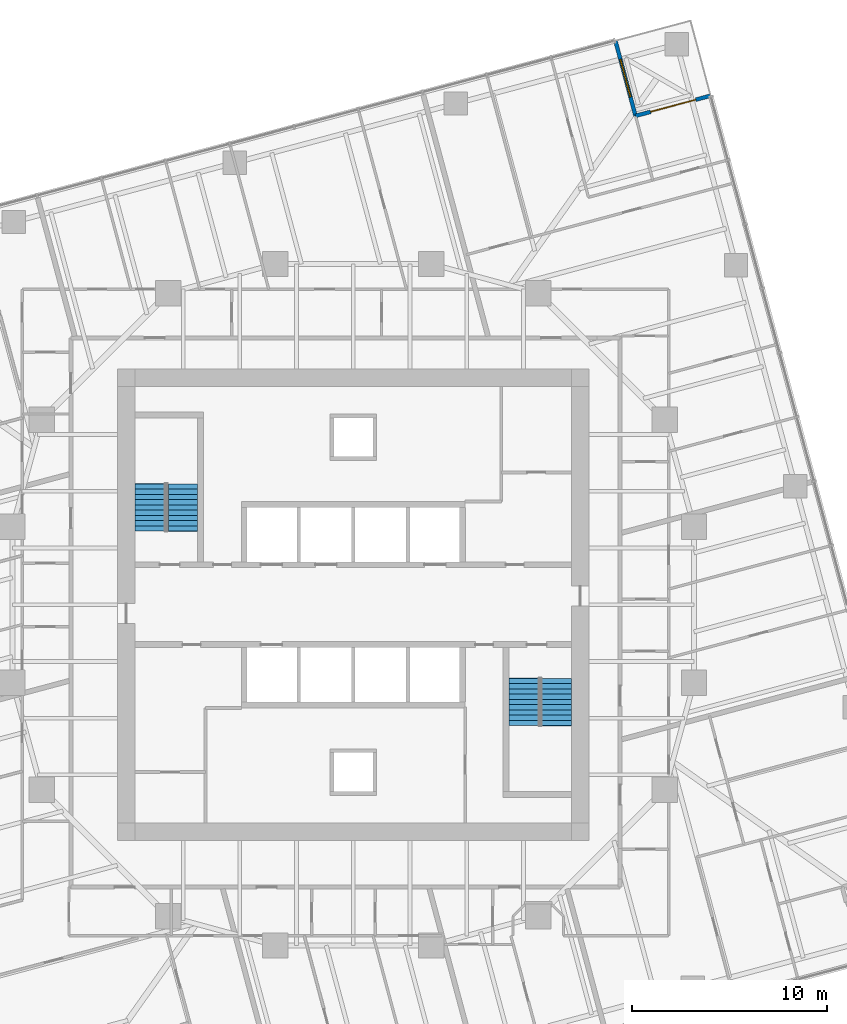
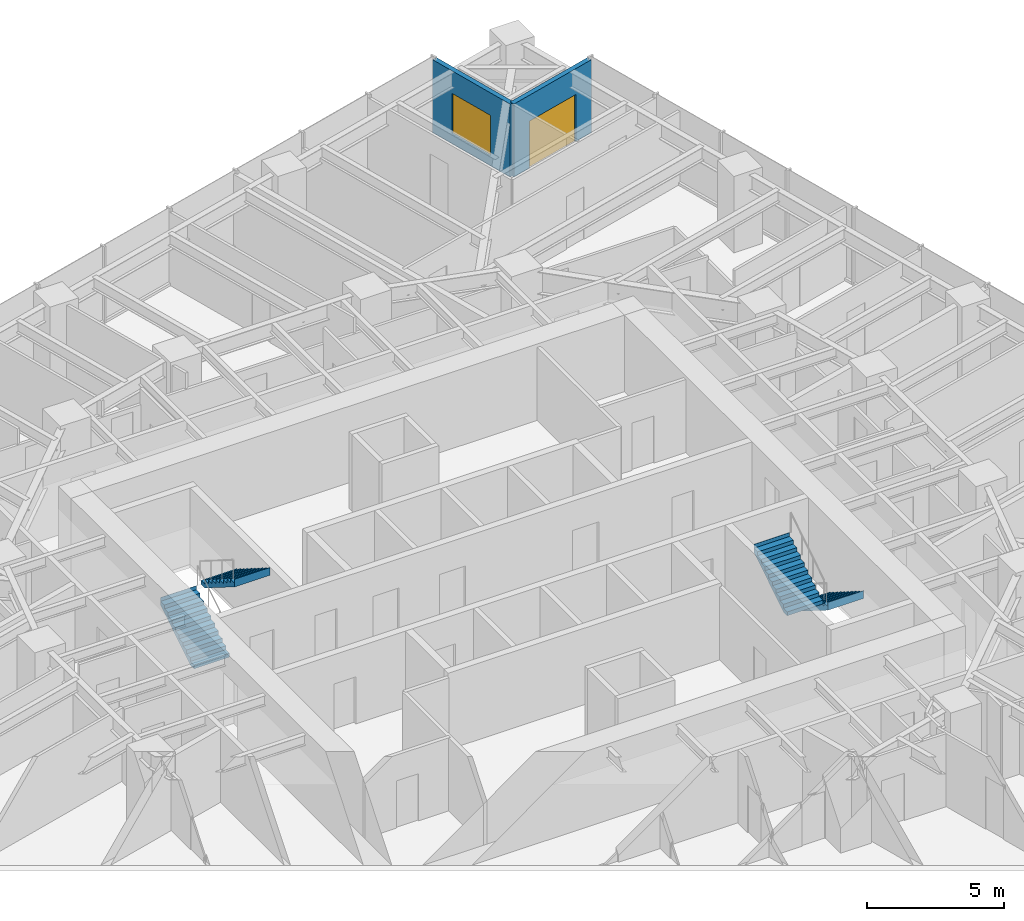
# One storey, part 13 of 14: 4 stair flights, 2 walls, 1 door, 1 window, 2 openings, 2 elements without a shape of their own.
"""IFC4 building model written with IfcOpenShell, lengths in metres."""

from ifc_helpers import new_model, si_unit, direction, frame, frame_2d, origin, place, context, subcontext, project, spatial, polyline, rectangle, outline, extrude, material, layer, layer_set, type_object, element, fill, aggregate, save


model = new_model("IFC4")

# Units and contexts
model_context = context("Model", 3, precision=1e-05, world=origin(), true_north=direction((0.0, 1.0)))
body_context = subcontext(model_context, "Body", "Model", "MODEL_VIEW")
ifc_project = project(units=[si_unit("LENGTHUNIT", "METRE"), si_unit("AREAUNIT", "SQUARE_METRE"), si_unit("VOLUMEUNIT", "CUBIC_METRE"), si_unit("PLANEANGLEUNIT", "RADIAN"), si_unit("MASSUNIT", "GRAM", prefix="KILO")], contexts=[model_context])

# Site, building, storey
site_placement = place(None, origin())
site = spatial("IfcSite", under=ifc_project, at=site_placement, CompositionType="ELEMENT")
building_placement = place(site_placement, origin())
building = spatial("IfcBuilding", under=site, at=building_placement, Name="Torsade Residences", CompositionType="ELEMENT")
storey_placement = place(building_placement, frame((0.0, 0.0, 125.199951171875)))
storey = spatial("IfcBuildingStorey", under=building, at=storey_placement, Name="L34", CompositionType="ELEMENT", Elevation=125.199951171875)

# Wall, opening, door
ifc_material_1 = material(Name="Stone-faced precast concrete 40 MPa panel", Category="masonry")
ifc_layer = layer(ifc_material_1, 0.199951171875)
ifc_layer_set = layer_set([ifc_layer], Name="Stone-faced precast concrete 40 MPa panel")
wall_type = type_object("IfcWallType", Name="TERRACE WALL 200", PredefinedType="SOLIDWALL", material=ifc_layer_set)
wall_1_placement = place(storey_placement, frame((58.359375, 56.142578125, 0.0), z_axis=(0.0, 0.0, 1.0), x_axis=(-0.965919172068, -0.258843877716, 0.0)))
wall_1 = element("IfcWall", 1, at=wall_1_placement, inside=storey, type_object=wall_type, Name="Terrace wall L34 5", PredefinedType="SOLIDWALL", context=body_context, shape_type="SweptSolid", body=[
    extrude(rectangle(XDim=4.0, YDim=0.199951171875, at=frame_2d((2.0, 0.0))), origin(), (0.0, 0.0, 1.0), 3.25),
])
opening_1_placement = place(wall_1_placement, frame((0.800048828125, 0.0, 0.0)))
opening_1 = element("IfcOpeningElement", 2, at=opening_1_placement, cuts=wall_1, Name="Opening D10A", PredefinedType="OPENING", context=body_context, shape_type="SweptSolid", body=[
    extrude(rectangle(XDim=2.39990234375, YDim=2.10009765625, at=frame_2d((1.199951171875, 1.050048828125))), frame((0.0, 0.10986328125, 0.0), z_axis=(0.0, -1.0, 0.0), x_axis=(1.0, 0.0, 0.0)), (0.0, 0.0, 1.0), 0.219970703125),
])
ifc_material_2 = material(Name="Aluminium-framed glass door", Category="aluminium")
door_type = type_object("IfcDoorType", Name="TERRACE SLIDING DOOR 2400x2100", OperationType="SLIDING_TO_LEFT", PredefinedType="DOOR", material=ifc_material_2)
door_placement = place(opening_1_placement, origin())
door = element("IfcDoor", 3, at=door_placement, inside=storey, type_object=door_type, Name="Terrace door L34 5", OperationType="SLIDING_TO_LEFT", OverallHeight=2.10009765625, OverallWidth=2.39990234375, PredefinedType="DOOR", context=body_context, shape_type="SweptSolid", body=[
    extrude(rectangle(XDim=2.39990234375, YDim=2.10009765625, at=frame_2d((1.199951171875, 1.050048828125))), frame((0.0, 0.02490234375, 0.0), z_axis=(0.0, -1.0, 0.0), x_axis=(1.0, 0.0, 0.0)), (0.0, 0.0, 1.0), 0.050048828125),
])
fill(opening_1, door)

# Wall, opening, window
wall_2_placement = place(storey_placement, frame((54.49560546875, 55.107177734375, 0.0), z_axis=(0.0, 0.0, 1.0), x_axis=(-0.258786931944, 0.965934430412, 0.0)))
wall_2 = element("IfcWall", 4, at=wall_2_placement, inside=storey, type_object=wall_type, Name="Terrace wall L34 6", PredefinedType="SOLIDWALL", context=body_context, shape_type="SweptSolid", body=[
    extrude(rectangle(XDim=4.0, YDim=0.199951171875, at=frame_2d((2.0, 0.0))), origin(), (0.0, 0.0, 1.0), 3.25),
])
opening_2_placement = place(wall_2_placement, frame((1.0, 0.0, 0.449951171875)))
opening_2 = element("IfcOpeningElement", 5, at=opening_2_placement, cuts=wall_2, Name="Opening W1B", PredefinedType="OPENING", context=body_context, shape_type="SweptSolid", body=[
    extrude(rectangle(XDim=2.0, YDim=1.800048828125, at=frame_2d((1.0, 0.89990234375))), frame((0.0, 0.10986328125, 0.0), z_axis=(0.0, -1.0, 0.0), x_axis=(1.0, 0.0, 0.0)), (0.0, 0.0, 1.0), 0.219970703125),
])
ifc_material_3 = material(Name="Aluminium-framed glass window", Category="aluminium")
window_type = type_object("IfcWindowType", Name="TERRACE WINDOW 2000x1800", PartitioningType="SINGLE_PANEL", PredefinedType="WINDOW", material=ifc_material_3)
window_placement = place(opening_2_placement, origin())
window = element("IfcWindow", 6, at=window_placement, inside=storey, type_object=window_type, Name="Terrace window L34 6", OverallHeight=1.800048828125, OverallWidth=2.0, PartitioningType="SINGLE_PANEL", PredefinedType="WINDOW", context=body_context, shape_type="SweptSolid", body=[
    extrude(rectangle(XDim=2.0, YDim=1.800048828125, at=frame_2d((1.0, 0.89990234375))), frame((0.0, 0.030029296875, 0.0), z_axis=(0.0, -1.0, 0.0), x_axis=(1.0, 0.0, 0.0)), (0.0, 0.0, 1.0), 0.06005859375),
])
fill(opening_2, window)

# Stair, stair flights
ifc_material_4 = material(Name="Precast concrete 40 MPa", Category="concrete")
stair_type = type_object("IfcStairType", Name="HALF-TURN FIRE STAIR 1500x3400", PredefinedType="HALF_TURN_STAIR", material=ifc_material_4)
stair_1_placement = place(storey_placement, origin())
stair_1 = element("IfcStair", 7, at=stair_1_placement, inside=storey, type_object=stair_type, Name="Stair ST1 L34", PredefinedType="HALF_TURN_STAIR")
ifc_material_5 = material(Name="Precast concrete 40 MPa", Category="concrete")
stair_flight_type = type_object("IfcStairFlightType", Name="PRECAST STAIR FLIGHT 1500x1700", PredefinedType="STRAIGHT", material=ifc_material_5)
stair_flight_1_placement = place(storey_placement, frame((29.550048828125, 33.780029296875, 0.0), z_axis=(0.0, 0.0, 1.0), x_axis=(0.0, 1.0, 0.0)))
stair_flight_1 = element("IfcStairFlight", 8, at=stair_flight_1_placement, type_object=stair_flight_type, Name="ST1 flight 1", NumberOfRisers=10, NumberOfTreads=9, PredefinedType="STRAIGHT", RiserHeight=0.17, TreadLength=0.27, context=body_context, shape_type="SweptSolid", body=[
    extrude(outline(polyline([(0.0, 0.0), (0.0, 0.169921875), (0.27001953125, 0.169921875), (0.27001953125, 0.340087890625), (0.5400390625, 0.340087890625), (0.5400390625, 0.510009765625), (0.81005859375, 0.510009765625), (0.81005859375, 0.679931640625), (1.080078125, 0.679931640625), (1.080078125, 0.85009765625), (1.35009765625, 0.85009765625), (1.35009765625, 1.02001953125), (1.6201171875, 1.02001953125), (1.6201171875, 1.18994140625), (1.889892578125, 1.18994140625), (1.889892578125, 1.360107421875), (2.159912109375, 1.360107421875), (2.159912109375, 1.530029296875), (2.429931640625, 1.530029296875), (2.429931640625, 1.699951171875), (2.43994140625, 1.699951171875), (2.43994140625, 1.352783203125), (2.429931640625, 1.352783203125), (0.28125, 0.0), (0.0, 0.0)])), frame((0.0, 0.75, 0.0), z_axis=(0.0, -1.0, 0.0), x_axis=(1.0, 0.0, 0.0)), (0.0, 0.0, 1.0), 1.5),
])
stair_flight_2_placement = place(storey_placement, frame((31.25, 36.2099609375, 1.699951171875), z_axis=(0.0, 0.0, 1.0), x_axis=(0.0, -1.0, 0.0)))
stair_flight_2 = element("IfcStairFlight", 9, at=stair_flight_2_placement, type_object=stair_flight_type, Name="ST1 flight 2", NumberOfRisers=10, NumberOfTreads=9, PredefinedType="STRAIGHT", RiserHeight=0.17, TreadLength=0.27, context=body_context, shape_type="SweptSolid", body=[
    extrude(outline(polyline([(0.0, 0.0), (0.0, 0.169921875), (0.27001953125, 0.169921875), (0.27001953125, 0.340087890625), (0.5400390625, 0.340087890625), (0.5400390625, 0.510009765625), (0.81005859375, 0.510009765625), (0.81005859375, 0.679931640625), (1.080078125, 0.679931640625), (1.080078125, 0.85009765625), (1.35009765625, 0.85009765625), (1.35009765625, 1.02001953125), (1.6201171875, 1.02001953125), (1.6201171875, 1.18994140625), (1.889892578125, 1.18994140625), (1.889892578125, 1.360107421875), (2.159912109375, 1.360107421875), (2.159912109375, 1.530029296875), (2.429931640625, 1.530029296875), (2.429931640625, 1.699951171875), (2.43994140625, 1.699951171875), (2.43994140625, 1.352783203125), (2.429931640625, 1.352783203125), (0.28125, 0.0), (0.0, 0.0)])), frame((0.0, 0.75, 0.0), z_axis=(0.0, -1.0, 0.0), x_axis=(1.0, 0.0, 0.0)), (0.0, 0.0, 1.0), 1.5),
])
aggregate(stair_1, [stair_flight_1, stair_flight_2])

stair_2_placement = place(storey_placement, origin())
stair_2 = element("IfcStair", 10, at=stair_2_placement, inside=storey, type_object=stair_type, Name="Stair ST2 L34", PredefinedType="HALF_TURN_STAIR")
stair_flight_3_placement = place(storey_placement, frame((50.449951171875, 26.219970703125, 0.0), z_axis=(0.0, 0.0, 1.0), x_axis=(0.0, -1.0, 0.0)))
stair_flight_3 = element("IfcStairFlight", 11, at=stair_flight_3_placement, type_object=stair_flight_type, Name="ST2 flight 1", NumberOfRisers=10, NumberOfTreads=9, PredefinedType="STRAIGHT", RiserHeight=0.17, TreadLength=0.27, context=body_context, shape_type="SweptSolid", body=[
    extrude(outline(polyline([(0.0, 0.0), (0.0, 0.169921875), (0.27001953125, 0.169921875), (0.27001953125, 0.340087890625), (0.5400390625, 0.340087890625), (0.5400390625, 0.510009765625), (0.81005859375, 0.510009765625), (0.81005859375, 0.679931640625), (1.080078125, 0.679931640625), (1.080078125, 0.85009765625), (1.35009765625, 0.85009765625), (1.35009765625, 1.02001953125), (1.6201171875, 1.02001953125), (1.6201171875, 1.18994140625), (1.889892578125, 1.18994140625), (1.889892578125, 1.360107421875), (2.159912109375, 1.360107421875), (2.159912109375, 1.530029296875), (2.429931640625, 1.530029296875), (2.429931640625, 1.699951171875), (2.43994140625, 1.699951171875), (2.43994140625, 1.352783203125), (2.429931640625, 1.352783203125), (0.28125, 0.0), (0.0, 0.0)])), frame((0.0, 0.75, 0.0), z_axis=(0.0, -1.0, 0.0), x_axis=(1.0, 0.0, 0.0)), (0.0, 0.0, 1.0), 1.5),
])
stair_flight_4_placement = place(storey_placement, frame((48.75, 23.7900390625, 1.699951171875), z_axis=(0.0, 0.0, 1.0), x_axis=(0.0, 1.0, 0.0)))
stair_flight_4 = element("IfcStairFlight", 12, at=stair_flight_4_placement, type_object=stair_flight_type, Name="ST2 flight 2", NumberOfRisers=10, NumberOfTreads=9, PredefinedType="STRAIGHT", RiserHeight=0.17, TreadLength=0.27, context=body_context, shape_type="SweptSolid", body=[
    extrude(outline(polyline([(0.0, 0.0), (0.0, 0.169921875), (0.27001953125, 0.169921875), (0.27001953125, 0.340087890625), (0.5400390625, 0.340087890625), (0.5400390625, 0.510009765625), (0.81005859375, 0.510009765625), (0.81005859375, 0.679931640625), (1.080078125, 0.679931640625), (1.080078125, 0.85009765625), (1.35009765625, 0.85009765625), (1.35009765625, 1.02001953125), (1.6201171875, 1.02001953125), (1.6201171875, 1.18994140625), (1.889892578125, 1.18994140625), (1.889892578125, 1.360107421875), (2.159912109375, 1.360107421875), (2.159912109375, 1.530029296875), (2.429931640625, 1.530029296875), (2.429931640625, 1.699951171875), (2.43994140625, 1.699951171875), (2.43994140625, 1.352783203125), (2.429931640625, 1.352783203125), (0.28125, 0.0), (0.0, 0.0)])), frame((0.0, 0.75, 0.0), z_axis=(0.0, -1.0, 0.0), x_axis=(1.0, 0.0, 0.0)), (0.0, 0.0, 1.0), 1.5),
])
aggregate(stair_2, [stair_flight_3, stair_flight_4])

save(model, "model.ifc")
